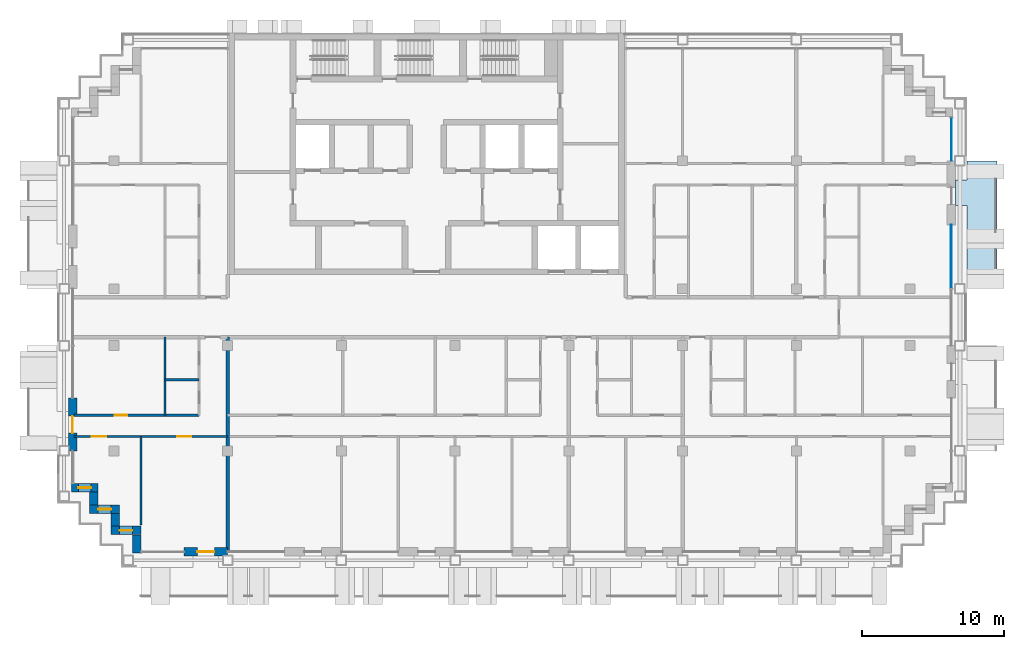
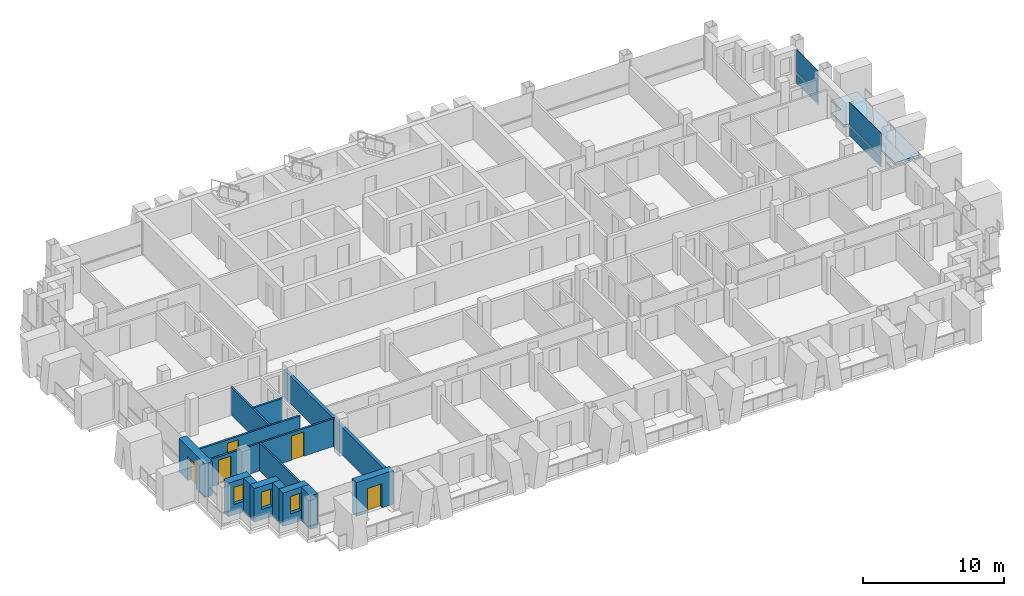
# One storey, part 7 of 16: 14 walls, 5 doors, 4 plates, 3 windows, 1 slab, 8 openings, 2 elements without a shape of their own.
"""IFC4 building model written with IfcOpenShell, lengths in metres."""

from ifc_helpers import new_model, si_unit, direction, frame, frame_2d, origin, origin_2d, place, context, subcontext, project, spatial, polyline, rectangle, outline, extrude, material, layer, layer_set, type_object, element, fill, aggregate, save


model = new_model("IFC4")

# Units and contexts
model_context = context("Model", 3, precision=1e-05, world=origin(), true_north=direction((0.0, 1.0)))
body_context = subcontext(model_context, "Body", "Model", "MODEL_VIEW")
ifc_project = project(units=[si_unit("LENGTHUNIT", "METRE"), si_unit("AREAUNIT", "SQUARE_METRE"), si_unit("VOLUMEUNIT", "CUBIC_METRE"), si_unit("PLANEANGLEUNIT", "RADIAN"), si_unit("MASSUNIT", "GRAM", prefix="KILO")], contexts=[model_context])

# Site, building, storey
site_placement = place(None, origin())
site = spatial("IfcSite", under=ifc_project, at=site_placement, CompositionType="ELEMENT")
building_placement = place(site_placement, origin())
building = spatial("IfcBuilding", under=site, at=building_placement, Name="Vidyagriha Tower", CompositionType="ELEMENT")
storey_placement = place(building_placement, frame((0.0, 0.0, 187.699951171875)))
storey = spatial("IfcBuildingStorey", under=building, at=storey_placement, Name="L49", CompositionType="ELEMENT", Elevation=187.699951171875)

# Curtain wall, plate
ifc_material_1 = material(Name="Aluminium and glass curtain wall", Category="aluminium")
curtain_wall_type = type_object("IfcCurtainWallType", Name="Dwelling skin unitised curtain wall", PredefinedType="USERDEFINED", material=ifc_material_1)
curtain_wall_1_placement = place(storey_placement, origin())
curtain_wall_1 = element("IfcCurtainWall", 1, at=curtain_wall_1_placement, inside=storey, type_object=curtain_wall_type, Name="CW1 dwelling skin", ObjectType="UNITISED", PredefinedType="USERDEFINED")
ifc_material_2 = material(Name="Glass dark ceramic-fritted spandrel", Category="glass")
ifc_layer_1 = layer(ifc_material_2, 0.0400390625)
ifc_layer_set_1 = layer_set([ifc_layer_1], Name="Glass dark ceramic-fritted spandrel")
plate_type_1 = type_object("IfcPlateType", Name="Ceramic-fritted spandrel panel", PredefinedType="CURTAIN_PANEL", material=ifc_layer_set_1)
plate_1_placement = place(storey_placement, frame((36.89990234375, 12.514892578125, 0.0), z_axis=(0.0, 0.0, 1.0), x_axis=(0.0, 1.0, 0.0)))
plate_1 = element("IfcPlate", 2, at=plate_1_placement, type_object=plate_type_1, Name="CW1 panel 1.1", PredefinedType="CURTAIN_PANEL", context=body_context, shape_type="SweptSolid", body=[
    extrude(rectangle(XDim=3.030029296875, YDim=0.0400390625, at=origin_2d()), origin(), (0.0, 0.0, 1.0), 0.85009765625),
])

curtain_wall_2_placement = place(storey_placement, origin())
curtain_wall_2 = element("IfcCurtainWall", 3, at=curtain_wall_2_placement, inside=storey, type_object=curtain_wall_type, Name="CW1 dwelling skin", ObjectType="UNITISED", PredefinedType="USERDEFINED")
ifc_material_3 = material(Name="Glass dark ceramic-fritted", Category="glass")
ifc_layer_2 = layer(ifc_material_3, 0.028076171875)
ifc_layer_set_2 = layer_set([ifc_layer_2], Name="Glass dark ceramic-fritted")
plate_type_2 = type_object("IfcPlateType", Name="Dark ceramic-fritted vision glass panel", PredefinedType="CURTAIN_PANEL", material=ifc_layer_set_2)
plate_2_placement = place(storey_placement, frame((36.89990234375, 4.267578125, 0.9501953125), z_axis=(0.0, 0.0, 1.0), x_axis=(0.0, 1.0, 0.0)))
plate_2 = element("IfcPlate", 4, at=plate_2_placement, type_object=plate_type_2, Name="CW1 panel 2.2", PredefinedType="CURTAIN_PANEL", context=body_context, shape_type="SweptSolid", body=[
    extrude(rectangle(XDim=4.465087890625, YDim=0.028076171875, at=origin_2d()), origin(), (0.0, 0.0, 1.0), 1.969970703125),
])

# Plate
plate_3_placement = place(storey_placement, frame((36.89990234375, 12.514892578125, 0.9501953125), z_axis=(0.0, 0.0, 1.0), x_axis=(0.0, 1.0, 0.0)))
plate_3 = element("IfcPlate", 5, at=plate_3_placement, type_object=plate_type_2, Name="CW1 panel 1.2", PredefinedType="CURTAIN_PANEL", context=body_context, shape_type="SweptSolid", body=[
    extrude(rectangle(XDim=3.030029296875, YDim=0.028076171875, at=origin_2d()), origin(), (0.0, 0.0, 1.0), 1.969970703125),
])

aggregate(curtain_wall_1, [plate_1, plate_3])

ifc_material_4 = material(Name="Aluminium black anodised", Category="aluminium")
ifc_layer_3 = layer(ifc_material_4, 0.06005859375)
ifc_layer_set_3 = layer_set([ifc_layer_3], Name="Aluminium black anodised")
plate_type_3 = type_object("IfcPlateType", Name="Operable black-metal vent panel", PredefinedType="CURTAIN_PANEL", material=ifc_layer_set_3)
plate_4_placement = place(storey_placement, frame((36.89990234375, 4.267578125, 0.0), z_axis=(0.0, 0.0, 1.0), x_axis=(0.0, 1.0, 0.0)))
plate_4 = element("IfcPlate", 6, at=plate_4_placement, type_object=plate_type_3, Name="CW1 panel 2.1", PredefinedType="CURTAIN_PANEL", context=body_context, shape_type="SweptSolid", body=[
    extrude(rectangle(XDim=4.465087890625, YDim=0.06005859375, at=origin_2d()), origin(), (0.0, 0.0, 1.0), 0.85009765625),
])

aggregate(curtain_wall_2, [plate_4, plate_2])

# Slab
ifc_material_5 = material(Name="Precast concrete C40/50", Category="concrete")
ifc_layer_4 = layer(ifc_material_5, 0.199951171875)
ifc_layer_set_4 = layer_set([ifc_layer_4], Name="Precast concrete C40/50")
slab_type = type_object("IfcSlabType", Name="Precast balcony slab 200", PredefinedType="USERDEFINED", material=ifc_layer_set_4)
slab_placement = place(storey_placement, frame((0.0, 0.0, -0.199951171875)))
element("IfcSlab", 7, at=slab_placement, inside=storey, type_object=slab_type, Name="Balcony slab L49 R30.2-2", ObjectType="BALCONY", PredefinedType="USERDEFINED", context=body_context, shape_type="SweptSolid", body=[
    extrude(outline(polyline([(38.0, 7.85009765625), (38.0, 2.0), (40.10009765625, 2.0), (40.10009765625, 11.0), (38.0, 11.0), (38.0, 9.64990234375), (37.199951171875, 9.64990234375), (37.199951171875, 7.85009765625), (38.0, 7.85009765625)])), origin(), (0.0, 0.0, 1.0), 0.199951171875),
])

# Wall, opening, door
ifc_material_6 = material(Name="Precast concrete C40/50 with brick facing", Category="concrete")
ifc_layer_5 = layer(ifc_material_6, 0.60009765625)
ifc_layer_set_5 = layer_set([ifc_layer_5], Name="Precast concrete C40/50 with brick facing")
wall_type_1 = type_object("IfcWallType", Name="Brick-faced precast wall 600", PredefinedType="STANDARD", material=ifc_layer_set_5)
wall_1_placement = place(storey_placement, frame((-24.89990234375, -5.699951171875, 0.0), z_axis=(0.0, 0.0, 1.0), x_axis=(0.0, -1.0, 0.0)))
wall_1 = element("IfcWall", 8, at=wall_1_placement, inside=storey, type_object=wall_type_1, Name="Brick door bay wall L49 R16.6", PredefinedType="STANDARD", context=body_context, shape_type="SweptSolid", body=[
    extrude(rectangle(XDim=3.699951171875, YDim=0.60009765625, at=frame_2d((1.85009765625, 0.0))), origin(), (0.0, 0.0, 1.0), 2.920166015625),
])
opening_1_placement = place(wall_1_placement, frame((1.25, 0.0, 0.0)))
opening_1 = element("IfcOpeningElement", 9, at=opening_1_placement, cuts=wall_1, Name="Opening D49-68", PredefinedType="OPENING", context=body_context, shape_type="SweptSolid", body=[
    extrude(rectangle(XDim=1.199951171875, YDim=2.10009765625, at=frame_2d((0.60009765625, 1.050048828125))), frame((0.0, 0.31005859375, 0.0), z_axis=(0.0, -1.0, 0.0), x_axis=(1.0, 0.0, 0.0)), (0.0, 0.0, 1.0), 0.6201171875),
])
ifc_material_7 = material(Name="Aluminium framed glazed sliding door", Category="aluminium")
door_type_1 = type_object("IfcDoorType", Name="Balcony sliding door 1200x2100", OperationType="NOTDEFINED", PredefinedType="DOOR", material=ifc_material_7)
door_1_placement = place(opening_1_placement, origin())
door_1 = element("IfcDoor", 10, at=door_1_placement, inside=storey, type_object=door_type_1, Name="Door D49-68", OperationType="SLIDING_TO_LEFT", OverallHeight=2.10009765625, OverallWidth=1.199951171875, PredefinedType="DOOR", context=body_context, shape_type="SweptSolid", body=[
    extrude(rectangle(XDim=1.199951171875, YDim=2.10009765625, at=frame_2d((0.60009765625, 1.050048828125))), frame((0.0, 0.02490234375, 0.0), z_axis=(0.0, -1.0, 0.0), x_axis=(1.0, 0.0, 0.0)), (0.0, 0.0, 1.0), 0.050048828125),
])
fill(opening_1, door_1)

# Wall, opening, window
wall_2_placement = place(storey_placement, frame((-24.97998046875, -12.0, 0.0)))
wall_2 = element("IfcWall", 11, at=wall_2_placement, inside=storey, type_object=wall_type_1, Name="Stepped corner wall L49 R17", PredefinedType="STANDARD", context=body_context, shape_type="SweptSolid", body=[
    extrude(rectangle(XDim=1.8798828125, YDim=0.60009765625, at=frame_2d((0.93994140625, 0.0))), origin(), (0.0, 0.0, 1.0), 2.920166015625),
])
opening_2_placement = place(wall_2_placement, frame((0.489990234375, 0.0, 0.89990234375)))
opening_2 = element("IfcOpeningElement", 12, at=opening_2_placement, cuts=wall_2, Name="Opening WN1", PredefinedType="OPENING", context=body_context, shape_type="SweptSolid", body=[
    extrude(rectangle(XDim=0.89990234375, YDim=1.5, at=frame_2d((0.449951171875, 0.75))), frame((0.0, 0.31005859375, 0.0), z_axis=(0.0, -1.0, 0.0), x_axis=(1.0, 0.0, 0.0)), (0.0, 0.0, 1.0), 0.6201171875),
])
ifc_material_8 = material(Name="Aluminium and glass window", Category="aluminium")
window_type = type_object("IfcWindowType", Name="Reveal window 900x1500", PartitioningType="NOTDEFINED", PredefinedType="WINDOW", material=ifc_material_8)
window_1_placement = place(opening_2_placement, origin())
window_1 = element("IfcWindow", 13, at=window_1_placement, inside=storey, type_object=window_type, Name="Reveal window L49 R17", OverallHeight=1.5, OverallWidth=0.89990234375, PartitioningType="SINGLE_PANEL", PredefinedType="WINDOW", context=body_context, shape_type="SweptSolid", body=[
    extrude(rectangle(XDim=0.89990234375, YDim=1.5, at=frame_2d((0.449951171875, 0.75))), frame((0.0, 0.030029296875, 0.0), z_axis=(0.0, -1.0, 0.0), x_axis=(1.0, 0.0, 0.0)), (0.0, 0.0, 1.0), 0.06005859375),
])
fill(opening_2, window_1)

# Wall
wall_3_placement = place(storey_placement, frame((-23.39990234375, -12.300048828125, 0.0), z_axis=(0.0, 0.0, 1.0), x_axis=(0.0, -1.0, 0.0)))
element("IfcWall", 14, at=wall_3_placement, inside=storey, type_object=wall_type_1, Name="Stepped corner wall L49 R18", PredefinedType="STANDARD", context=body_context, shape_type="SweptSolid", body=[
    extrude(rectangle(XDim=0.89990234375, YDim=0.60009765625, at=frame_2d((0.449951171875, 0.0))), origin(), (0.0, 0.0, 1.0), 2.920166015625),
])

# Wall, opening, window
wall_4_placement = place(storey_placement, frame((-23.699951171875, -13.5, 0.0)))
wall_4 = element("IfcWall", 15, at=wall_4_placement, inside=storey, type_object=wall_type_1, Name="Stepped corner wall L49 R19", PredefinedType="STANDARD", context=body_context, shape_type="SweptSolid", body=[
    extrude(rectangle(XDim=2.099853515625, YDim=0.60009765625, at=frame_2d((1.0498046875, 0.0))), origin(), (0.0, 0.0, 1.0), 2.920166015625),
])
opening_3_placement = place(wall_4_placement, frame((0.60009765625, 0.0, 0.89990234375)))
opening_3 = element("IfcOpeningElement", 16, at=opening_3_placement, cuts=wall_4, Name="Opening WN1", PredefinedType="OPENING", context=body_context, shape_type="SweptSolid", body=[
    extrude(rectangle(XDim=0.89990234375, YDim=1.5, at=frame_2d((0.449951171875, 0.75))), frame((0.0, 0.31005859375, 0.0), z_axis=(0.0, -1.0, 0.0), x_axis=(1.0, 0.0, 0.0)), (0.0, 0.0, 1.0), 0.6201171875),
])
window_2_placement = place(opening_3_placement, origin())
window_2 = element("IfcWindow", 17, at=window_2_placement, inside=storey, type_object=window_type, Name="Reveal window L49 R19", OverallHeight=1.5, OverallWidth=0.89990234375, PartitioningType="SINGLE_PANEL", PredefinedType="WINDOW", context=body_context, shape_type="SweptSolid", body=[
    extrude(rectangle(XDim=0.89990234375, YDim=1.5, at=frame_2d((0.449951171875, 0.75))), frame((0.0, 0.030029296875, 0.0), z_axis=(0.0, -1.0, 0.0), x_axis=(1.0, 0.0, 0.0)), (0.0, 0.0, 1.0), 0.06005859375),
])
fill(opening_3, window_2)

# Wall
wall_5_placement = place(storey_placement, frame((-21.89990234375, -13.800048828125, 0.0), z_axis=(0.0, 0.0, 1.0), x_axis=(0.0, -1.0, 0.0)))
element("IfcWall", 18, at=wall_5_placement, inside=storey, type_object=wall_type_1, Name="Stepped corner wall L49 R20", PredefinedType="STANDARD", context=body_context, shape_type="SweptSolid", body=[
    extrude(rectangle(XDim=0.89990234375, YDim=0.60009765625, at=frame_2d((0.449951171875, 0.0))), origin(), (0.0, 0.0, 1.0), 2.920166015625),
])

# Wall, opening, window
wall_6_placement = place(storey_placement, frame((-22.199951171875, -15.0, 0.0)))
wall_6 = element("IfcWall", 19, at=wall_6_placement, inside=storey, type_object=wall_type_1, Name="Stepped corner wall L49 R21", PredefinedType="STANDARD", context=body_context, shape_type="SweptSolid", body=[
    extrude(rectangle(XDim=2.099853515625, YDim=0.60009765625, at=frame_2d((1.0498046875, 0.0))), origin(), (0.0, 0.0, 1.0), 2.920166015625),
])
opening_4_placement = place(wall_6_placement, frame((0.60009765625, 0.0, 0.89990234375)))
opening_4 = element("IfcOpeningElement", 20, at=opening_4_placement, cuts=wall_6, Name="Opening WN1", PredefinedType="OPENING", context=body_context, shape_type="SweptSolid", body=[
    extrude(rectangle(XDim=0.89990234375, YDim=1.5, at=frame_2d((0.449951171875, 0.75))), frame((0.0, 0.31005859375, 0.0), z_axis=(0.0, -1.0, 0.0), x_axis=(1.0, 0.0, 0.0)), (0.0, 0.0, 1.0), 0.6201171875),
])
window_3_placement = place(opening_4_placement, origin())
window_3 = element("IfcWindow", 21, at=window_3_placement, inside=storey, type_object=window_type, Name="Reveal window L49 R21", OverallHeight=1.5, OverallWidth=0.89990234375, PartitioningType="SINGLE_PANEL", PredefinedType="WINDOW", context=body_context, shape_type="SweptSolid", body=[
    extrude(rectangle(XDim=0.89990234375, YDim=1.5, at=frame_2d((0.449951171875, 0.75))), frame((0.0, 0.030029296875, 0.0), z_axis=(0.0, -1.0, 0.0), x_axis=(1.0, 0.0, 0.0)), (0.0, 0.0, 1.0), 0.06005859375),
])
fill(opening_4, window_3)

# Wall
wall_7_placement = place(storey_placement, frame((-20.39990234375, -15.300048828125, 0.0), z_axis=(0.0, 0.0, 1.0), x_axis=(0.0, -1.0, 0.0)))
element("IfcWall", 22, at=wall_7_placement, inside=storey, type_object=wall_type_1, Name="Stepped corner wall L49 R22", PredefinedType="STANDARD", context=body_context, shape_type="SweptSolid", body=[
    extrude(rectangle(XDim=1.280029296875, YDim=0.60009765625, at=frame_2d((0.64013671875, 0.0))), origin(), (0.0, 0.0, 1.0), 2.920166015625),
])

# Wall, opening, door
wall_8_placement = place(storey_placement, frame((-17.050048828125, -16.5, 0.0)))
wall_8 = element("IfcWall", 23, at=wall_8_placement, inside=storey, type_object=wall_type_1, Name="Brick door bay wall L49 R23.2", PredefinedType="STANDARD", context=body_context, shape_type="SweptSolid", body=[
    extrude(rectangle(XDim=3.050048828125, YDim=0.60009765625, at=frame_2d((1.52490234375, 0.0))), origin(), (0.0, 0.0, 1.0), 2.920166015625),
])
opening_5_placement = place(wall_8_placement, frame((0.925048828125, 0.0, 0.0)))
opening_5 = element("IfcOpeningElement", 24, at=opening_5_placement, cuts=wall_8, Name="Opening D49-69", PredefinedType="OPENING", context=body_context, shape_type="SweptSolid", body=[
    extrude(rectangle(XDim=1.199951171875, YDim=2.10009765625, at=frame_2d((0.60009765625, 1.050048828125))), frame((0.0, 0.31005859375, 0.0), z_axis=(0.0, -1.0, 0.0), x_axis=(1.0, 0.0, 0.0)), (0.0, 0.0, 1.0), 0.6201171875),
])
door_2_placement = place(opening_5_placement, origin())
door_2 = element("IfcDoor", 25, at=door_2_placement, inside=storey, type_object=door_type_1, Name="Door D49-69", OperationType="SLIDING_TO_LEFT", OverallHeight=2.10009765625, OverallWidth=1.199951171875, PredefinedType="DOOR", context=body_context, shape_type="SweptSolid", body=[
    extrude(rectangle(XDim=1.199951171875, YDim=2.10009765625, at=frame_2d((0.60009765625, 1.050048828125))), frame((0.0, 0.02490234375, 0.0), z_axis=(0.0, -1.0, 0.0), x_axis=(1.0, 0.0, 0.0)), (0.0, 0.0, 1.0), 0.050048828125),
])
fill(opening_5, door_2)

# Walls
ifc_material_9 = material(Name="Fired clay brick masonry", Category="masonry")
ifc_layer_6 = layer(ifc_material_9, 0.25)
ifc_layer_set_6 = layer_set([ifc_layer_6], Name="Fired clay brick masonry")
wall_type_2 = type_object("IfcWallType", Name="Fired clay brick demising wall 250", PredefinedType="PARTITIONING", material=ifc_layer_set_6)
wall_9_placement = place(storey_placement, frame((-14.0, -1.39990234375, 0.0), z_axis=(0.0, 0.0, 1.0), x_axis=(0.0, -1.0, 0.0)))
element("IfcWall", 26, at=wall_9_placement, inside=storey, type_object=wall_type_2, Name="Wall all-L49-w035", PredefinedType="PARTITIONING", context=body_context, shape_type="SweptSolid", body=[
    extrude(rectangle(XDim=15.010009765625, YDim=0.25, at=frame_2d((7.5048828125, 0.0))), origin(), (0.0, 0.0, 1.0), 2.400146484375),
])
ifc_material_10 = material(Name="Gypsum board partition")
ifc_layer_7 = layer(ifc_material_10, 0.14990234375)
ifc_layer_set_7 = layer_set([ifc_layer_7], Name="Gypsum board partition")
wall_type_3 = type_object("IfcWallType", Name="Gypsum board partition 150", PredefinedType="PARTITIONING", material=ifc_layer_set_7)
wall_10_placement = place(storey_placement, frame((-16.0, -4.39990234375, 0.0), z_axis=(0.0, 0.0, 1.0), x_axis=(-1.0, 0.0, 0.0)))
element("IfcWall", 27, at=wall_10_placement, inside=storey, type_object=wall_type_3, Name="Wall all-L49-w004", PredefinedType="PARTITIONING", context=body_context, shape_type="SweptSolid", body=[
    extrude(rectangle(XDim=2.39990234375, YDim=0.14990234375, at=frame_2d((1.199951171875, 0.0))), origin(), (0.0, 0.0, 1.0), 2.400146484375),
])
wall_11_placement = place(storey_placement, frame((-18.39990234375, -6.89990234375, 0.0), z_axis=(0.0, 0.0, 1.0), x_axis=(0.0, 1.0, 0.0)))
element("IfcWall", 28, at=wall_11_placement, inside=storey, type_object=wall_type_3, Name="Wall all-L49-w005", PredefinedType="PARTITIONING", context=body_context, shape_type="SweptSolid", body=[
    extrude(rectangle(XDim=5.5, YDim=0.14990234375, at=frame_2d((2.75, 0.0))), origin(), (0.0, 0.0, 1.0), 2.400146484375),
])

# Wall, opening, door
wall_12_placement = place(storey_placement, frame((-24.81005859375, -6.89990234375, 0.0)))
wall_12 = element("IfcWall", 29, at=wall_12_placement, inside=storey, type_object=wall_type_3, Name="Wall all-L49-w006", PredefinedType="PARTITIONING", context=body_context, shape_type="SweptSolid", body=[
    extrude(rectangle(XDim=8.81005859375, YDim=0.14990234375, at=frame_2d((4.405029296875, 0.0))), origin(), (0.0, 0.0, 1.0), 2.400146484375),
])
opening_6_placement = place(wall_12_placement, frame((2.860107421875, 0.0, 0.0)))
opening_6 = element("IfcOpeningElement", 30, at=opening_6_placement, cuts=wall_12, Name="Opening D49-17", PredefinedType="OPENING", context=body_context, shape_type="SweptSolid", body=[
    extrude(rectangle(XDim=0.89990234375, YDim=2.10009765625, at=frame_2d((0.449951171875, 1.050048828125))), frame((0.0, 0.0849609375, 0.0), z_axis=(0.0, -1.0, 0.0), x_axis=(1.0, 0.0, 0.0)), (0.0, 0.0, 1.0), 0.169921875),
])
ifc_material_11 = material(Name="Timber door leaf", Category="wood")
door_type_2 = type_object("IfcDoorType", Name="Room door 900x2100", OperationType="NOTDEFINED", PredefinedType="DOOR", material=ifc_material_11)
door_3_placement = place(opening_6_placement, origin())
door_3 = element("IfcDoor", 31, at=door_3_placement, inside=storey, type_object=door_type_2, Name="Door D49-17", OperationType="SINGLE_SWING_RIGHT", OverallHeight=2.10009765625, OverallWidth=0.89990234375, PredefinedType="DOOR", context=body_context, shape_type="SweptSolid", body=[
    extrude(rectangle(XDim=0.89990234375, YDim=2.10009765625, at=frame_2d((0.449951171875, 1.050048828125))), frame((0.0, 0.02490234375, 0.0), z_axis=(0.0, -1.0, 0.0), x_axis=(1.0, 0.0, 0.0)), (0.0, 0.0, 1.0), 0.050048828125),
])
fill(opening_6, door_3)

# Wall, openings, doors
wall_13_placement = place(storey_placement, frame((-14.0, -8.39990234375, 0.0), z_axis=(0.0, 0.0, 1.0), x_axis=(-1.0, 0.0, 0.0)))
wall_13 = element("IfcWall", 32, at=wall_13_placement, inside=storey, type_object=wall_type_3, Name="Wall all-L49-w008", PredefinedType="PARTITIONING", context=body_context, shape_type="SweptSolid", body=[
    extrude(rectangle(XDim=10.81005859375, YDim=0.14990234375, at=frame_2d((5.405029296875, 0.0))), origin(), (0.0, 0.0, 1.0), 2.400146484375),
])
opening_7_placement = place(wall_13_placement, frame((8.547119140625, 0.0, 0.0)))
opening_7 = element("IfcOpeningElement", 33, at=opening_7_placement, cuts=wall_13, Name="Opening D49-18", PredefinedType="OPENING", context=body_context, shape_type="SweptSolid", body=[
    extrude(rectangle(XDim=1.0, YDim=2.10009765625, at=frame_2d((0.5, 1.050048828125))), frame((0.0, 0.0849609375, 0.0), z_axis=(0.0, -1.0, 0.0), x_axis=(1.0, 0.0, 0.0)), (0.0, 0.0, 1.0), 0.169921875),
])
opening_8_placement = place(wall_13_placement, frame((2.550048828125, 0.0, 0.0)))
opening_8 = element("IfcOpeningElement", 34, at=opening_8_placement, cuts=wall_13, Name="Opening D49-19", PredefinedType="OPENING", context=body_context, shape_type="SweptSolid", body=[
    extrude(rectangle(XDim=1.0, YDim=2.10009765625, at=frame_2d((0.5, 1.050048828125))), frame((0.0, 0.0849609375, 0.0), z_axis=(0.0, -1.0, 0.0), x_axis=(1.0, 0.0, 0.0)), (0.0, 0.0, 1.0), 0.169921875),
])
ifc_material_12 = material(Name="Timber door leaf", Category="wood")
door_type_3 = type_object("IfcDoorType", Name="Room door 1000x2100", OperationType="NOTDEFINED", PredefinedType="DOOR", material=ifc_material_12)
door_4_placement = place(opening_7_placement, origin())
door_4 = element("IfcDoor", 35, at=door_4_placement, inside=storey, type_object=door_type_3, Name="Door D49-18", OperationType="SINGLE_SWING_RIGHT", OverallHeight=2.10009765625, OverallWidth=1.0, PredefinedType="DOOR", context=body_context, shape_type="SweptSolid", body=[
    extrude(rectangle(XDim=1.0, YDim=2.10009765625, at=frame_2d((0.5, 1.050048828125))), frame((0.0, 0.02490234375, 0.0), z_axis=(0.0, -1.0, 0.0), x_axis=(1.0, 0.0, 0.0)), (0.0, 0.0, 1.0), 0.050048828125),
])
fill(opening_7, door_4)
door_5_placement = place(opening_8_placement, origin())
door_5 = element("IfcDoor", 36, at=door_5_placement, inside=storey, type_object=door_type_3, Name="Door D49-19", OperationType="SINGLE_SWING_RIGHT", OverallHeight=2.10009765625, OverallWidth=1.0, PredefinedType="DOOR", context=body_context, shape_type="SweptSolid", body=[
    extrude(rectangle(XDim=1.0, YDim=2.10009765625, at=frame_2d((0.5, 1.050048828125))), frame((0.0, 0.02490234375, 0.0), z_axis=(0.0, -1.0, 0.0), x_axis=(1.0, 0.0, 0.0)), (0.0, 0.0, 1.0), 0.050048828125),
])
fill(opening_8, door_5)

# Wall
wall_14_placement = place(storey_placement, frame((-20.10009765625, -8.39990234375, 0.0), z_axis=(0.0, 0.0, 1.0), x_axis=(0.0, -1.0, 0.0)))
element("IfcWall", 37, at=wall_14_placement, inside=storey, type_object=wall_type_3, Name="Wall all-L49-w011", PredefinedType="PARTITIONING", context=body_context, shape_type="SweptSolid", body=[
    extrude(rectangle(XDim=6.22021484375, YDim=0.14990234375, at=frame_2d((3.110107421875, 0.0))), origin(), (0.0, 0.0, 1.0), 2.400146484375),
])

save(model, "model.ifc")
